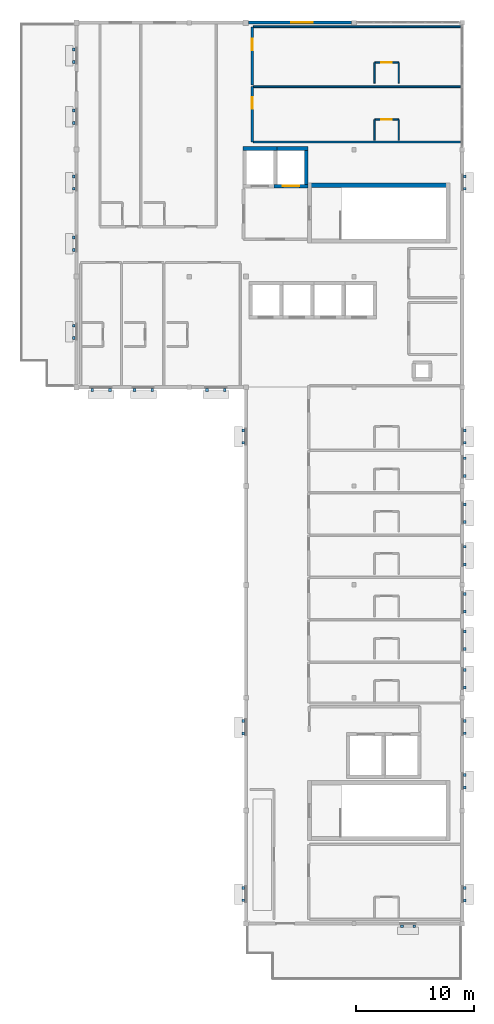
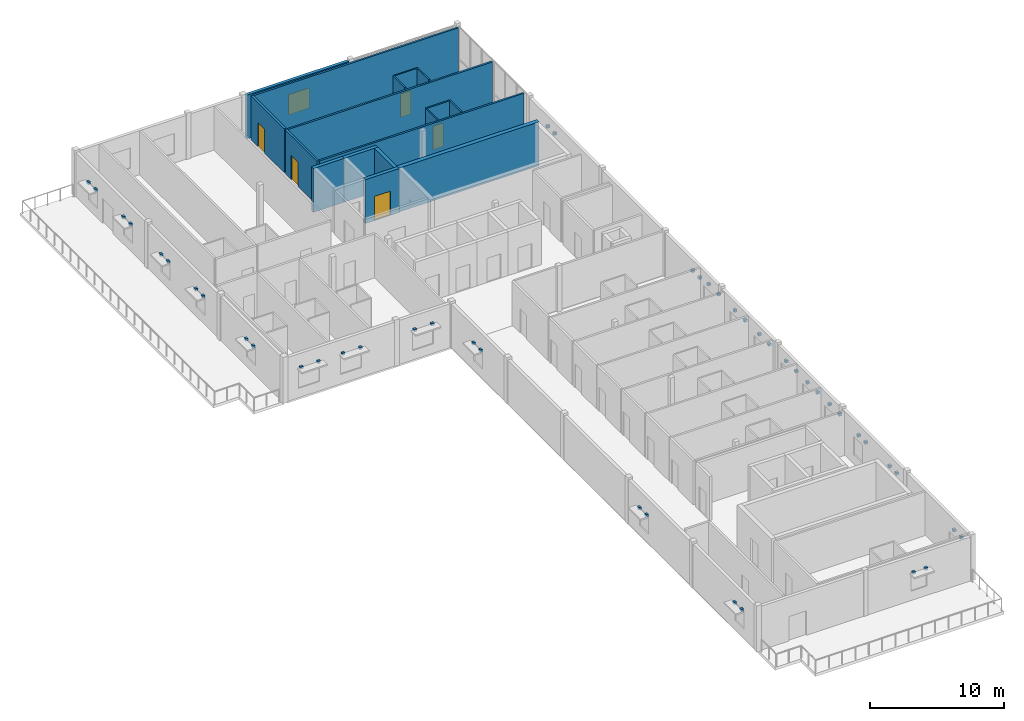
# One storey, part 8 of 9: 46 discrete accessories, 17 walls, 5 doors, 1 window, 6 openings.
"""IFC4 building model written with IfcOpenShell, lengths in metres."""

from ifc_helpers import new_model, si_unit, direction, frame, frame_2d, origin, origin_2d, place, context, subcontext, project, spatial, rectangle, extrude, material, layer, layer_set, type_object, element, fill, save


model = new_model("IFC4")

# Units and contexts
model_context = context("Model", 3, precision=1e-05, world=origin(), true_north=direction((0.0, 1.0)))
body_context = subcontext(model_context, "Body", "Model", "MODEL_VIEW")
ifc_project = project(units=[si_unit("LENGTHUNIT", "METRE"), si_unit("AREAUNIT", "SQUARE_METRE"), si_unit("VOLUMEUNIT", "CUBIC_METRE"), si_unit("PLANEANGLEUNIT", "RADIAN"), si_unit("MASSUNIT", "GRAM", prefix="KILO")], contexts=[model_context])

# Site, building, storey
site_placement = place(None, origin())
site = spatial("IfcSite", under=ifc_project, at=site_placement, CompositionType="ELEMENT")
building_placement = place(site_placement, origin())
building = spatial("IfcBuilding", under=site, at=building_placement, Name="Veldera Park Congress Hotel", CompositionType="ELEMENT")
storey_placement = place(building_placement, frame((0.0, 0.0, 46.60009765625)))
storey = spatial("IfcBuildingStorey", under=building, at=storey_placement, Name="L11", CompositionType="ELEMENT", Elevation=46.60009765625)

# Wall, opening, window
ifc_material_1 = material(Name="Cross-laminated timber CLT V2M1.1", Category="wood")
ifc_layer_1 = layer(ifc_material_1, 0.264892578125)
ifc_layer_set_1 = layer_set([ifc_layer_1], Name="Cross-laminated timber CLT V2M1.1")
wall_type_1 = type_object("IfcWallType", Name="EW-CLT265", PredefinedType="STANDARD", material=ifc_layer_set_1)
wall_1_placement = place(storey_placement, frame((74.60693359375, 58.0, 0.0), z_axis=(0.0, 0.0, 1.0), x_axis=(-1.0, 0.0, 0.0)))
wall_1 = element("IfcWall", 1, at=wall_1_placement, inside=storey, type_object=wall_type_1, Name="L11 Exterior Wall EW3-L11-0458", PredefinedType="STANDARD", context=body_context, shape_type="SweptSolid", body=[
    extrude(rectangle(XDim=8.783935546875, YDim=0.264892578125, at=frame_2d((4.39208984375, 0.0))), origin(), (0.0, 0.0, 1.0), 3.989990234375),
])
opening_1_placement = place(wall_1_placement, frame((3.32861328125, 0.0, 0.85009765625)))
opening_1 = element("IfcOpeningElement", 2, at=opening_1_placement, cuts=wall_1, Name="Opening WIN-1800", PredefinedType="OPENING", context=body_context, shape_type="SweptSolid", body=[
    extrude(rectangle(XDim=1.800048828125, YDim=1.85009765625, at=frame_2d((0.89990234375, 0.925048828125))), frame((0.0, 0.14453125, 0.0), z_axis=(0.0, -1.0, 0.0), x_axis=(1.0, 0.0, 0.0)), (0.0, 0.0, 1.0), 0.288818359375),
])
ifc_material_2 = material(Name="Low-E Triple Insulating Glass Unit (SHGC 0.22)", Category="glass")
window_type = type_object("IfcWindowType", Name="WIN-1800", PartitioningType="SINGLE_PANEL", PredefinedType="WINDOW", material=ifc_material_2)
window_placement = place(opening_1_placement, origin())
window = element("IfcWindow", 3, at=window_placement, inside=storey, type_object=window_type, Name="L11 Window WIN-1800 605", OverallHeight=1.85009765625, OverallWidth=1.800048828125, PartitioningType="SINGLE_PANEL", PredefinedType="WINDOW", context=body_context, shape_type="SweptSolid", body=[
    extrude(rectangle(XDim=1.800048828125, YDim=1.85009765625, at=frame_2d((0.89990234375, 0.925048828125))), frame((0.0, 0.030029296875, 0.0), z_axis=(0.0, -1.0, 0.0), x_axis=(1.0, 0.0, 0.0)), (0.0, 0.0, 1.0), 0.06005859375),
])
fill(opening_1, window)

# Walls
ifc_material_3 = material(Name="Fire-Rated Gypsum Board on Cold-Formed Steel Studs", Category="steel")
ifc_layer_2 = layer(ifc_material_3, 0.1201171875)
ifc_layer_set_2 = layer_set([ifc_layer_2], Name="Fire-Rated Gypsum Board on Cold-Formed Steel Studs")
wall_type_2 = type_object("IfcWallType", Name="IW-BATH120", PredefinedType="PARTITIONING", material=ifc_layer_set_2)
for number, where, z_axis, x_axis, name in (
    (4, (76.550048828125, 48.0, 0.0), (0.0, 0.0, 1.0), (0.0, 1.0, 0.0), "L11 Partition Wall IW3-L11-01855"),
    (5, (78.60009765625, 48.0, 0.0), (0.0, 0.0, 1.0), (0.0, 1.0, 0.0), "L11 Partition Wall IW3-L11-01856"),
):
    element("IfcWall", number, at=place(storey_placement, frame(where, z_axis=z_axis, x_axis=x_axis)), inside=storey, type_object=wall_type_2, Name=name, PredefinedType="PARTITIONING", context=body_context, shape_type="SweptSolid", body=[
        extrude(rectangle(XDim=1.75, YDim=0.1201171875, at=frame_2d((0.875, 0.0))), origin(), (0.0, 0.0, 1.0), 3.989990234375),
    ])

# Wall, opening, door
wall_2_placement = place(storey_placement, frame((76.550048828125, 49.75, 0.0), z_axis=(0.0, 0.0, 1.0), x_axis=(1.0, 0.0, 0.0)))
wall_2 = element("IfcWall", 6, at=wall_2_placement, inside=storey, type_object=wall_type_2, Name="L11 Partition Wall IW3-L11-01857", PredefinedType="PARTITIONING", context=body_context, shape_type="SweptSolid", body=[
    extrude(rectangle(XDim=2.050048828125, YDim=0.1201171875, at=frame_2d((1.02490234375, 0.0))), origin(), (0.0, 0.0, 1.0), 3.989990234375),
])
opening_2_placement = place(wall_2_placement, frame((0.574951171875, 0.0, 0.0)))
opening_2 = element("IfcOpeningElement", 7, at=opening_2_placement, cuts=wall_2, Name="Opening ID-BATH090", PredefinedType="OPENING", context=body_context, shape_type="SweptSolid", body=[
    extrude(rectangle(XDim=0.89990234375, YDim=2.14990234375, at=frame_2d((0.449951171875, 1.074951171875))), frame((0.0, 0.072021484375, 0.0), z_axis=(0.0, -1.0, 0.0), x_axis=(1.0, 0.0, 0.0)), (0.0, 0.0, 1.0), 0.14404296875),
])
ifc_material_4 = material(Name="Solid Core White Oak Architectural Door", Category="wood")
door_type_1 = type_object("IfcDoorType", Name="ID-BATH090", OperationType="NOTDEFINED", PredefinedType="DOOR", material=ifc_material_4)
door_1_placement = place(opening_2_placement, origin())
door_1 = element("IfcDoor", 8, at=door_1_placement, inside=storey, type_object=door_type_1, Name="L11 En-suite 310 Door ID3-L11-0759 (DR3-ID3-L11-0759)", OperationType="SINGLE_SWING_LEFT", OverallHeight=2.14990234375, OverallWidth=0.89990234375, PredefinedType="DOOR", context=body_context, shape_type="SweptSolid", body=[
    extrude(rectangle(XDim=0.89990234375, YDim=2.14990234375, at=frame_2d((0.449951171875, 1.074951171875))), frame((0.0, 0.02490234375, 0.0), z_axis=(0.0, -1.0, 0.0), x_axis=(1.0, 0.0, 0.0)), (0.0, 0.0, 1.0), 0.050048828125),
])
fill(opening_2, door_1)

# Walls
for number, where, z_axis, x_axis, name in (
    (9, (76.550048828125, 52.85009765625, 0.0), (0.0, 0.0, 1.0), (0.0, 1.0, 0.0), "L11 Partition Wall IW3-L11-01860"),
    (10, (78.60009765625, 52.85009765625, 0.0), (0.0, 0.0, 1.0), (0.0, 1.0, 0.0), "L11 Partition Wall IW3-L11-01861"),
):
    element("IfcWall", number, at=place(storey_placement, frame(where, z_axis=z_axis, x_axis=x_axis)), inside=storey, type_object=wall_type_2, Name=name, PredefinedType="PARTITIONING", context=body_context, shape_type="SweptSolid", body=[
        extrude(rectangle(XDim=1.75, YDim=0.1201171875, at=frame_2d((0.875, 0.0))), origin(), (0.0, 0.0, 1.0), 3.989990234375),
    ])

# Wall, opening, door
wall_3_placement = place(storey_placement, frame((76.550048828125, 54.60009765625, 0.0), z_axis=(0.0, 0.0, 1.0), x_axis=(1.0, 0.0, 0.0)))
wall_3 = element("IfcWall", 11, at=wall_3_placement, inside=storey, type_object=wall_type_2, Name="L11 Partition Wall IW3-L11-01862", PredefinedType="PARTITIONING", context=body_context, shape_type="SweptSolid", body=[
    extrude(rectangle(XDim=2.050048828125, YDim=0.1201171875, at=frame_2d((1.02490234375, 0.0))), origin(), (0.0, 0.0, 1.0), 3.989990234375),
])
opening_3_placement = place(wall_3_placement, frame((0.574951171875, 0.0, 0.0)))
opening_3 = element("IfcOpeningElement", 12, at=opening_3_placement, cuts=wall_3, Name="Opening ID-BATH090", PredefinedType="OPENING", context=body_context, shape_type="SweptSolid", body=[
    extrude(rectangle(XDim=0.89990234375, YDim=2.14990234375, at=frame_2d((0.449951171875, 1.074951171875))), frame((0.0, 0.072021484375, 0.0), z_axis=(0.0, -1.0, 0.0), x_axis=(1.0, 0.0, 0.0)), (0.0, 0.0, 1.0), 0.14404296875),
])
door_2_placement = place(opening_3_placement, origin())
door_2 = element("IfcDoor", 13, at=door_2_placement, inside=storey, type_object=door_type_1, Name="L11 En-suite 311 Door ID3-L11-0761 (DR3-ID3-L11-0761)", OperationType="SINGLE_SWING_LEFT", OverallHeight=2.14990234375, OverallWidth=0.89990234375, PredefinedType="DOOR", context=body_context, shape_type="SweptSolid", body=[
    extrude(rectangle(XDim=0.89990234375, YDim=2.14990234375, at=frame_2d((0.449951171875, 1.074951171875))), frame((0.0, 0.02490234375, 0.0), z_axis=(0.0, -1.0, 0.0), x_axis=(1.0, 0.0, 0.0)), (0.0, 0.0, 1.0), 0.050048828125),
])
fill(opening_3, door_2)

ifc_layer_3 = layer(ifc_material_3, 0.179931640625)
ifc_layer_set_3 = layer_set([ifc_layer_3], Name="Fire-Rated Gypsum Board on Cold-Formed Steel Studs")
wall_type_3 = type_object("IfcWallType", Name="IW-CORR180", PredefinedType="PARTITIONING", material=ifc_layer_set_3)
wall_4_placement = place(storey_placement, frame((66.14990234375, 52.550048828125, 0.0), z_axis=(0.0, 0.0, 1.0), x_axis=(0.0, -1.0, 0.0)))
wall_4 = element("IfcWall", 14, at=wall_4_placement, inside=storey, type_object=wall_type_3, Name="L11 Corridor Wall IW3-L11-01852", PredefinedType="PARTITIONING", context=body_context, shape_type="SweptSolid", body=[
    extrude(rectangle(XDim=4.699951171875, YDim=0.179931640625, at=frame_2d((2.35009765625, 0.0))), origin(), (0.0, 0.0, 1.0), 3.989990234375),
])
opening_4_placement = place(wall_4_placement, frame((0.8798828125, 0.0, 0.0)))
opening_4 = element("IfcOpeningElement", 15, at=opening_4_placement, cuts=wall_4, Name="Opening ID-UNIT098", PredefinedType="OPENING", context=body_context, shape_type="SweptSolid", body=[
    extrude(rectangle(XDim=0.97998046875, YDim=2.179931640625, at=frame_2d((0.489990234375, 1.08984375))), frame((0.0, 0.10205078125, 0.0), z_axis=(0.0, -1.0, 0.0), x_axis=(1.0, 0.0, 0.0)), (0.0, 0.0, 1.0), 0.203857421875),
])
door_type_2 = type_object("IfcDoorType", Name="ID-UNIT098", OperationType="NOTDEFINED", PredefinedType="DOOR", material=ifc_material_4)
door_3_placement = place(opening_4_placement, origin())
door_3 = element("IfcDoor", 16, at=door_3_placement, inside=storey, type_object=door_type_2, Name="L11 Guestroom 310 Entry Door (DR3-UD3-L11-310)", OperationType="SINGLE_SWING_RIGHT", OverallHeight=2.179931640625, OverallWidth=0.97998046875, PredefinedType="DOOR", context=body_context, shape_type="SweptSolid", body=[
    extrude(rectangle(XDim=0.97998046875, YDim=2.179931640625, at=frame_2d((0.489990234375, 1.08984375))), frame((0.0, 0.02490234375, 0.0), z_axis=(0.0, -1.0, 0.0), x_axis=(1.0, 0.0, 0.0)), (0.0, 0.0, 1.0), 0.050048828125),
])
fill(opening_4, door_3)

wall_5_placement = place(storey_placement, frame((66.14990234375, 57.64990234375, 0.0), z_axis=(0.0, 0.0, 1.0), x_axis=(0.0, -1.0, 0.0)))
wall_5 = element("IfcWall", 17, at=wall_5_placement, inside=storey, type_object=wall_type_3, Name="L11 Corridor Wall IW3-L11-01858", PredefinedType="PARTITIONING", context=body_context, shape_type="SweptSolid", body=[
    extrude(rectangle(XDim=4.949951171875, YDim=0.179931640625, at=frame_2d((2.47509765625, 0.0))), origin(), (0.0, 0.0, 1.0), 3.989990234375),
])
opening_5_placement = place(wall_5_placement, frame((1.0048828125, 0.0, 0.0)))
opening_5 = element("IfcOpeningElement", 18, at=opening_5_placement, cuts=wall_5, Name="Opening ID-UNIT098", PredefinedType="OPENING", context=body_context, shape_type="SweptSolid", body=[
    extrude(rectangle(XDim=0.97998046875, YDim=2.179931640625, at=frame_2d((0.489990234375, 1.08984375))), frame((0.0, 0.10205078125, 0.0), z_axis=(0.0, -1.0, 0.0), x_axis=(1.0, 0.0, 0.0)), (0.0, 0.0, 1.0), 0.203857421875),
])
door_4_placement = place(opening_5_placement, origin())
door_4 = element("IfcDoor", 19, at=door_4_placement, inside=storey, type_object=door_type_2, Name="L11 Guestroom 311 Entry Door (DR3-UD3-L11-311)", OperationType="SINGLE_SWING_RIGHT", OverallHeight=2.179931640625, OverallWidth=0.97998046875, PredefinedType="DOOR", context=body_context, shape_type="SweptSolid", body=[
    extrude(rectangle(XDim=0.97998046875, YDim=2.179931640625, at=frame_2d((0.489990234375, 1.08984375))), frame((0.0, 0.02490234375, 0.0), z_axis=(0.0, -1.0, 0.0), x_axis=(1.0, 0.0, 0.0)), (0.0, 0.0, 1.0), 0.050048828125),
])
fill(opening_5, door_4)

# Walls
ifc_layer_4 = layer(ifc_material_1, 0.159912109375)
ifc_layer_set_4 = layer_set([ifc_layer_4], Name="Cross-laminated timber CLT V2M1.1")
wall_type_4 = type_object("IfcWallType", Name="IW-UNIT160", PredefinedType="PARTITIONING", material=ifc_layer_set_4)
for number, where, z_axis, x_axis, name in (
    (20, (66.25, 47.85009765625, 0.0), (0.0, 0.0, 1.0), (1.0, 0.0, 0.0), "L11 Partition Wall IW3-L11-01853"),
    (21, (66.25, 52.550048828125, 0.0), (0.0, 0.0, 1.0), (1.0, 0.0, 0.0), "L11 Partition Wall IW3-L11-01854"),
    (22, (66.25, 57.64990234375, 0.0), (0.0, 0.0, 1.0), (1.0, 0.0, 0.0), "L11 Partition Wall IW3-L11-01859"),
):
    element("IfcWall", number, at=place(storey_placement, frame(where, z_axis=z_axis, x_axis=x_axis)), inside=storey, type_object=wall_type_4, Name=name, PredefinedType="PARTITIONING", context=body_context, shape_type="SweptSolid", body=[
        extrude(rectangle(XDim=17.590087890625, YDim=0.159912109375, at=frame_2d((8.794921875, 0.0))), origin(), (0.0, 0.0, 1.0), 3.989990234375),
    ])
ifc_material_5 = material(Name="Concrete f'c 40 MPa (5,800 psi)", Category="concrete")
ifc_layer_5 = layer(ifc_material_5, 0.35009765625)
ifc_layer_set_5 = layer_set([ifc_layer_5], Name="Concrete f'c 40 MPa (5,800 psi)")
wall_type_5 = type_object("IfcWallType", Name="SW-CORE350", PredefinedType="SHEAR", material=ifc_layer_set_5)
wall_6_placement = place(storey_placement, frame((82.949951171875, 44.175048828125, 0.0), z_axis=(0.0, 0.0, 1.0), x_axis=(-1.0, 0.0, 0.0)))
element("IfcWall", 23, at=wall_6_placement, inside=storey, type_object=wall_type_5, Name="Stair ST1 Core Wall L11-N", PredefinedType="SHEAR", context=body_context, shape_type="SweptSolid", body=[
    extrude(rectangle(XDim=12.099853515625, YDim=0.35009765625, at=frame_2d((6.0498046875, 0.0))), origin(), (0.0, 0.0, 1.0), 3.989990234375),
])
ifc_layer_6 = layer(ifc_material_5, 0.300048828125)
ifc_layer_set_6 = layer_set([ifc_layer_6], Name="Concrete f'c 40 MPa (5,800 psi)")
wall_type_6 = type_object("IfcWallType", Name="SW-SHFT300", PredefinedType="SHEAR", material=ifc_layer_set_6)
wall_7_placement = place(storey_placement, frame((68.25, 47.300048828125, 0.0), z_axis=(0.0, 0.0, 1.0), x_axis=(-1.0, 0.0, 0.0)))
element("IfcWall", 24, at=wall_7_placement, inside=storey, type_object=wall_type_6, Name="Lift FL-01 Shaft Wall L11-N", PredefinedType="SHEAR", context=body_context, shape_type="SweptSolid", body=[
    extrude(rectangle(XDim=2.89990234375, YDim=0.300048828125, at=frame_2d((1.449951171875, 0.0))), origin(), (0.0, 0.0, 1.0), 3.989990234375),
])

# Wall, opening, door
wall_8_placement = place(storey_placement, frame((68.0, 44.10009765625, 0.0), z_axis=(0.0, 0.0, 1.0), x_axis=(1.0, 0.0, 0.0)))
wall_8 = element("IfcWall", 25, at=wall_8_placement, inside=storey, type_object=wall_type_6, Name="Lift FL-02 Shaft Wall L11-S", PredefinedType="SHEAR", context=body_context, shape_type="SweptSolid", body=[
    extrude(rectangle(XDim=2.89990234375, YDim=0.300048828125, at=frame_2d((1.449951171875, 0.0))), origin(), (0.0, 0.0, 1.0), 3.989990234375),
])
opening_6_placement = place(wall_8_placement, frame((0.75, 0.0, 0.0)))
opening_6 = element("IfcOpeningElement", 26, at=opening_6_placement, cuts=wall_8, Name="Opening LD-140", PredefinedType="OPENING", context=body_context, shape_type="SweptSolid", body=[
    extrude(rectangle(XDim=1.39990234375, YDim=2.199951171875, at=frame_2d((0.699951171875, 1.10009765625))), frame((0.0, 0.162109375, 0.0), z_axis=(0.0, -1.0, 0.0), x_axis=(1.0, 0.0, 0.0)), (0.0, 0.0, 1.0), 0.323974609375),
])
ifc_material_6 = material(Name="Hollow Metal Fire-Rated Steel Door", Category="steel")
door_type_3 = type_object("IfcDoorType", Name="LD-140", OperationType="DOUBLE_DOOR_SLIDING", PredefinedType="DOOR", material=ifc_material_6)
door_5_placement = place(opening_6_placement, origin())
door_5 = element("IfcDoor", 27, at=door_5_placement, inside=storey, type_object=door_type_3, Name="L11 Lift FL-02 Landing Door (DR3-LD-FL-02-L11)", OperationType="DOUBLE_DOOR_SLIDING", OverallHeight=2.199951171875, OverallWidth=1.39990234375, PredefinedType="DOOR", context=body_context, shape_type="SweptSolid", body=[
    extrude(rectangle(XDim=1.39990234375, YDim=2.199951171875, at=frame_2d((0.699951171875, 1.10009765625))), frame((0.0, 0.02490234375, 0.0), z_axis=(0.0, -1.0, 0.0), x_axis=(1.0, 0.0, 0.0)), (0.0, 0.0, 1.0), 0.050048828125),
])
fill(opening_6, door_5)

# Walls
for number, where, z_axis, x_axis, name in (
    (28, (70.89990234375, 47.300048828125, 0.0), (0.0, 0.0, 1.0), (-1.0, 0.0, 0.0), "Lift FL-02 Shaft Wall L11-N"),
    (29, (70.75, 44.25, 0.0), (0.0, 0.0, 1.0), (0.0, 1.0, 0.0), "Lift FL-02 Shaft Wall L11-E"),
):
    element("IfcWall", number, at=place(storey_placement, frame(where, z_axis=z_axis, x_axis=x_axis)), inside=storey, type_object=wall_type_6, Name=name, PredefinedType="SHEAR", context=body_context, shape_type="SweptSolid", body=[
        extrude(rectangle(XDim=2.89990234375, YDim=0.300048828125, at=frame_2d((1.449951171875, 0.0))), origin(), (0.0, 0.0, 1.0), 3.989990234375),
    ])

# Discrete accessories
ifc_material_7 = material(Name="Steel ASTM A992 Gr.50", Category="steel")
discrete_accessory_type = type_object("IfcDiscreteAccessoryType", Name="ACC-BRK160", PredefinedType="BRACKET", material=ifc_material_7)
for number, where, z_axis, x_axis, name in (
    (30, (78.867431640625, -18.822509765625, 2.4697265625), (0.0, 0.0, 1.0), (1.0, 0.0, 0.0), "Shading Steel Outrigger Bracket 265L"),
    (31, (79.91748046875, -18.822509765625, 2.4697265625), (0.0, 0.0, 1.0), (1.0, 0.0, 0.0), "Shading Steel Outrigger Bracket 265R"),
    (32, (84.222412109375, -16.62841796875, 2.4697265625), (0.0, 0.0, 1.0), (0.0, 1.0, 0.0), "Shading Steel Outrigger Bracket 266L"),
    (33, (84.222412109375, -15.57861328125, 2.4697265625), (0.0, 0.0, 1.0), (0.0, 1.0, 0.0), "Shading Steel Outrigger Bracket 266R"),
    (34, (84.222412109375, -7.028564453125, 2.4697265625), (0.0, 0.0, 1.0), (0.0, 1.0, 0.0), "Shading Steel Outrigger Bracket 267L"),
    (35, (84.222412109375, -5.978515625, 2.4697265625), (0.0, 0.0, 1.0), (0.0, 1.0, 0.0), "Shading Steel Outrigger Bracket 267R"),
    (36, (84.222412109375, -2.42138671875, 2.4697265625), (0.0, 0.0, 1.0), (0.0, 1.0, 0.0), "Shading Steel Outrigger Bracket 268L"),
    (37, (84.222412109375, -1.37158203125, 2.4697265625), (0.0, 0.0, 1.0), (0.0, 1.0, 0.0), "Shading Steel Outrigger Bracket 268R"),
    (38, (84.222412109375, 22.27490234375, 2.4697265625), (0.0, 0.0, 1.0), (0.0, 1.0, 0.0), "Shading Steel Outrigger Bracket 269L"),
    (39, (84.222412109375, 23.324951171875, 2.4697265625), (0.0, 0.0, 1.0), (0.0, 1.0, 0.0), "Shading Steel Outrigger Bracket 269R"),
    (40, (84.222412109375, 43.87841796875, 2.4697265625), (0.0, 0.0, 1.0), (0.0, 1.0, 0.0), "Shading Steel Outrigger Bracket 270L"),
    (41, (84.222412109375, 44.928466796875, 2.4697265625), (0.0, 0.0, 1.0), (0.0, 1.0, 0.0), "Shading Steel Outrigger Bracket 270R"),
    (42, (50.9775390625, 55.709716796875, 2.4697265625), (0.0, 0.0, 1.0), (0.0, -1.0, 0.0), "Shading Steel Outrigger Bracket 271L"),
    (43, (50.9775390625, 54.659912109375, 2.4697265625), (0.0, 0.0, 1.0), (0.0, -1.0, 0.0), "Shading Steel Outrigger Bracket 271R"),
    (44, (50.9775390625, 50.525146484375, 2.4697265625), (0.0, 0.0, 1.0), (0.0, -1.0, 0.0), "Shading Steel Outrigger Bracket 272L"),
    (45, (50.9775390625, 49.47509765625, 2.4697265625), (0.0, 0.0, 1.0), (0.0, -1.0, 0.0), "Shading Steel Outrigger Bracket 272R"),
    (46, (50.9775390625, 44.9208984375, 2.4697265625), (0.0, 0.0, 1.0), (0.0, -1.0, 0.0), "Shading Steel Outrigger Bracket 273L"),
    (47, (50.9775390625, 43.87109375, 2.4697265625), (0.0, 0.0, 1.0), (0.0, -1.0, 0.0), "Shading Steel Outrigger Bracket 273R"),
    (48, (50.9775390625, 39.72900390625, 2.4697265625), (0.0, 0.0, 1.0), (0.0, -1.0, 0.0), "Shading Steel Outrigger Bracket 274L"),
    (49, (50.9775390625, 38.678955078125, 2.4697265625), (0.0, 0.0, 1.0), (0.0, -1.0, 0.0), "Shading Steel Outrigger Bracket 274R"),
    (50, (50.9775390625, 32.232421875, 2.4697265625), (0.0, 0.0, 1.0), (0.0, -1.0, 0.0), "Shading Steel Outrigger Bracket 275L"),
    (51, (50.9775390625, 31.1826171875, 2.4697265625), (0.0, 0.0, 1.0), (0.0, -1.0, 0.0), "Shading Steel Outrigger Bracket 275R"),
    (52, (65.37744140625, 23.324951171875, 2.4697265625), (0.0, 0.0, 1.0), (0.0, -1.0, 0.0), "Shading Steel Outrigger Bracket 276L"),
    (53, (65.37744140625, 22.27490234375, 2.4697265625), (0.0, 0.0, 1.0), (0.0, -1.0, 0.0), "Shading Steel Outrigger Bracket 276R"),
    (54, (65.37744140625, -1.37890625, 2.4697265625), (0.0, 0.0, 1.0), (0.0, -1.0, 0.0), "Shading Steel Outrigger Bracket 277L"),
    (55, (65.37744140625, -2.428955078125, 2.4697265625), (0.0, 0.0, 1.0), (0.0, -1.0, 0.0), "Shading Steel Outrigger Bracket 277R"),
    (56, (65.37744140625, -15.571044921875, 2.4697265625), (0.0, 0.0, 1.0), (0.0, -1.0, 0.0), "Shading Steel Outrigger Bracket 278L"),
    (57, (65.37744140625, -16.62109375, 2.4697265625), (0.0, 0.0, 1.0), (0.0, -1.0, 0.0), "Shading Steel Outrigger Bracket 278R"),
    (58, (84.222412109375, 1.46142578125, 2.669921875), (0.0, 0.0, 1.0), (0.0, 1.0, 0.0), "Shading Steel Outrigger Bracket 500L"),
    (59, (84.222412109375, 2.96142578125, 2.669921875), (0.0, 0.0, 1.0), (0.0, 1.0, 0.0), "Shading Steel Outrigger Bracket 500R"),
    (60, (84.222412109375, 4.739990234375, 2.669921875), (0.0, 0.0, 1.0), (0.0, 1.0, 0.0), "Shading Steel Outrigger Bracket 501L"),
    (61, (84.222412109375, 6.239990234375, 2.669921875), (0.0, 0.0, 1.0), (0.0, 1.0, 0.0), "Shading Steel Outrigger Bracket 501R"),
    (62, (84.222412109375, 7.928466796875, 2.669921875), (0.0, 0.0, 1.0), (0.0, 1.0, 0.0), "Shading Steel Outrigger Bracket 502L"),
    (63, (84.222412109375, 9.428466796875, 2.669921875), (0.0, 0.0, 1.0), (0.0, 1.0, 0.0), "Shading Steel Outrigger Bracket 502R"),
    (64, (84.222412109375, 11.93994140625, 2.669921875), (0.0, 0.0, 1.0), (0.0, 1.0, 0.0), "Shading Steel Outrigger Bracket 503L"),
    (65, (84.222412109375, 13.43994140625, 2.669921875), (0.0, 0.0, 1.0), (0.0, 1.0, 0.0), "Shading Steel Outrigger Bracket 503R"),
    (66, (84.222412109375, 15.5400390625, 2.669921875), (0.0, 0.0, 1.0), (0.0, 1.0, 0.0), "Shading Steel Outrigger Bracket 504L"),
    (67, (84.222412109375, 17.0400390625, 2.669921875), (0.0, 0.0, 1.0), (0.0, 1.0, 0.0), "Shading Steel Outrigger Bracket 504R"),
    (68, (84.222412109375, 19.46142578125, 2.669921875), (0.0, 0.0, 1.0), (0.0, 1.0, 0.0), "Shading Steel Outrigger Bracket 505L"),
    (69, (84.222412109375, 20.96142578125, 2.669921875), (0.0, 0.0, 1.0), (0.0, 1.0, 0.0), "Shading Steel Outrigger Bracket 505R"),
    (70, (52.5400390625, 26.777587890625, 2.669921875), (0.0, 0.0, 1.0), (1.0, 0.0, 0.0), "Shading Steel Outrigger Bracket 506L"),
    (71, (54.0400390625, 26.777587890625, 2.669921875), (0.0, 0.0, 1.0), (1.0, 0.0, 0.0), "Shading Steel Outrigger Bracket 506R"),
    (72, (56.139892578125, 26.777587890625, 2.669921875), (0.0, 0.0, 1.0), (1.0, 0.0, 0.0), "Shading Steel Outrigger Bracket 507L"),
    (73, (57.639892578125, 26.777587890625, 2.669921875), (0.0, 0.0, 1.0), (1.0, 0.0, 0.0), "Shading Steel Outrigger Bracket 507R"),
    (74, (62.3115234375, 26.777587890625, 2.669921875), (0.0, 0.0, 1.0), (1.0, 0.0, 0.0), "Shading Steel Outrigger Bracket 508L"),
    (75, (63.8115234375, 26.777587890625, 2.669921875), (0.0, 0.0, 1.0), (1.0, 0.0, 0.0), "Shading Steel Outrigger Bracket 508R"),
):
    element("IfcDiscreteAccessory", number, at=place(storey_placement, frame(where, z_axis=z_axis, x_axis=x_axis)), inside=storey, type_object=discrete_accessory_type, Name=name, PredefinedType="BRACKET", context=body_context, shape_type="SweptSolid", body=[
        extrude(rectangle(XDim=0.239990234375, YDim=0.239990234375, at=origin_2d()), origin(), (0.0, 0.0, 1.0), 0.219970703125),
    ])

save(model, "model.ifc")
